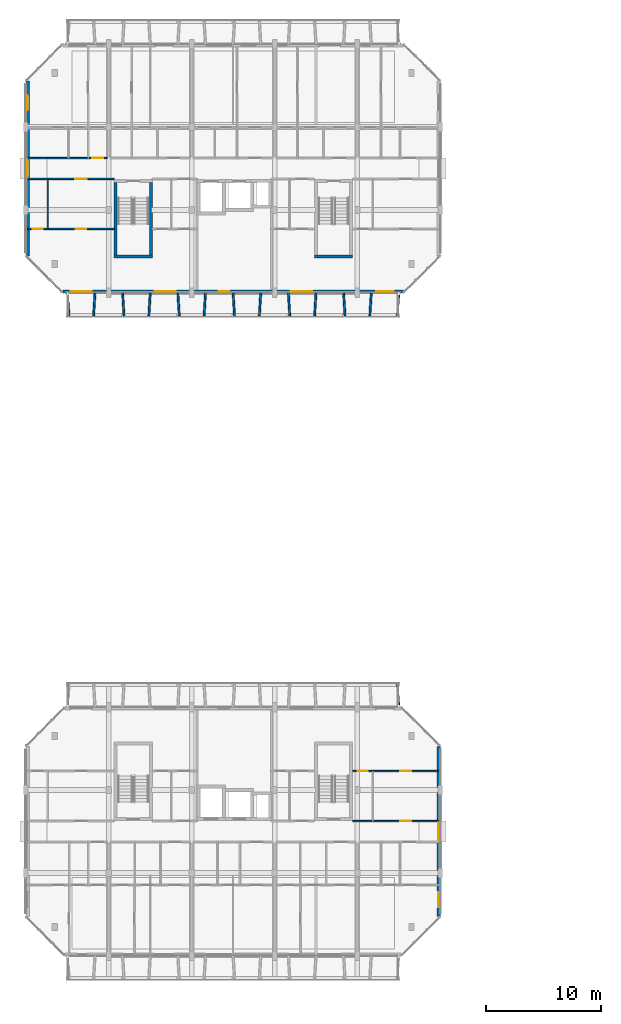
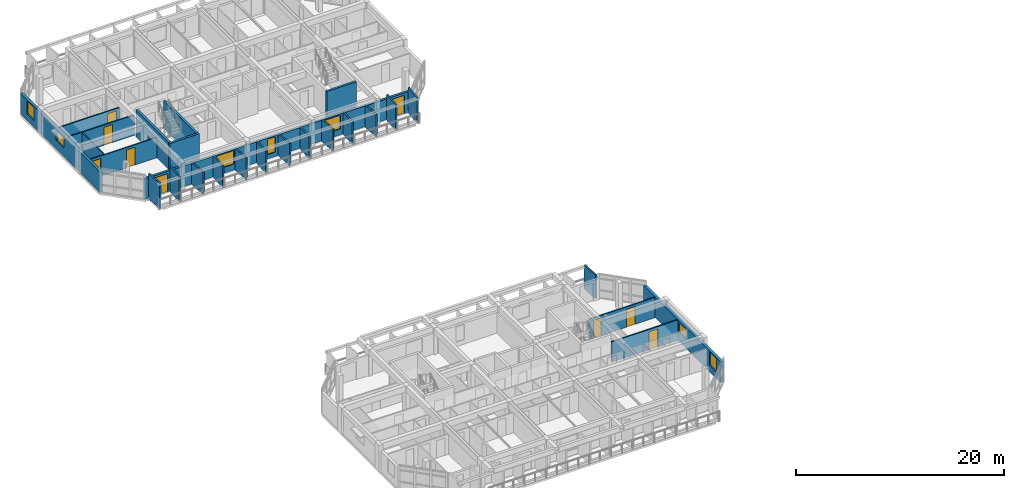
# One storey, part 20 of 46: 27 walls, 9 doors, 7 windows, 16 openings.
"""IFC4 building model written with IfcOpenShell, lengths in metres."""

from ifc_helpers import new_model, si_unit, direction, frame, frame_2d, origin, place, context, subcontext, project, spatial, rectangle, extrude, material, layer, layer_set, type_object, element, fill, save


model = new_model("IFC4")

# Units and contexts
model_context = context("Model", 3, precision=1e-05, world=origin(), true_north=direction((0.0, 1.0)))
body_context = subcontext(model_context, "Body", "Model", "MODEL_VIEW")
ifc_project = project(units=[si_unit("LENGTHUNIT", "METRE"), si_unit("AREAUNIT", "SQUARE_METRE"), si_unit("VOLUMEUNIT", "CUBIC_METRE"), si_unit("PLANEANGLEUNIT", "RADIAN"), si_unit("MASSUNIT", "GRAM", prefix="KILO")], contexts=[model_context])

# Site, building, storey
site_placement = place(None, origin())
site = spatial("IfcSite", under=ifc_project, at=site_placement, CompositionType="ELEMENT")
building_placement = place(site_placement, origin())
building = spatial("IfcBuilding", under=site, at=building_placement, Name="Ochrevale Crest", CompositionType="ELEMENT")
storey_placement = place(building_placement, frame((0.0, 0.0, 24.449951171875)))
storey = spatial("IfcBuildingStorey", under=building, at=storey_placement, Name="L07", CompositionType="ELEMENT", Elevation=24.449951171875)

# Wall, opening, door
ifc_material_1 = material(Name="Gypsum plasterboard", Category="gypsum")
ifc_layer_1 = layer(ifc_material_1, 0.139892578125)
ifc_layer_set_1 = layer_set([ifc_layer_1], Name="Gypsum plasterboard")
wall_type_1 = type_object("IfcWallType", Name="WL-COR-140", PredefinedType="PARTITIONING", material=ifc_layer_set_1)
wall_1_placement = place(storey_placement, frame((28.389892578125, 26.10009765625, 0.0), z_axis=(0.0, 0.0, 1.0), x_axis=(1.0, 0.0, 0.0)))
wall_1 = element("IfcWall", 1, at=wall_1_placement, inside=storey, type_object=wall_type_1, Name="Suite A-L07-CE corridor wall", PredefinedType="PARTITIONING", context=body_context, shape_type="SweptSolid", body=[
    extrude(rectangle(XDim=7.47021484375, YDim=0.139892578125, at=frame_2d((3.735107421875, 0.0))), origin(), (0.0, 0.0, 1.0), 2.380126953125),
])
opening_1_placement = place(wall_1_placement, frame((4.1201171875, 0.0, 0.0)))
opening_1 = element("IfcOpeningElement", 2, at=opening_1_placement, cuts=wall_1, Name="Opening FD01", PredefinedType="OPENING", context=body_context, shape_type="SweptSolid", body=[
    extrude(rectangle(XDim=0.97998046875, YDim=2.10009765625, at=frame_2d((0.489990234375, 1.050048828125))), frame((0.0, 0.080078125, 0.0), z_axis=(0.0, -1.0, 0.0), x_axis=(1.0, 0.0, 0.0)), (0.0, 0.0, 1.0), 0.159912109375),
])
ifc_material_2 = material(Name="Solid-core FSC hardwood", Category="wood")
door_type_1 = type_object("IfcDoorType", Name="DR-APT-950", OperationType="NOTDEFINED", PredefinedType="DOOR", material=ifc_material_2)
door_1_placement = place(opening_1_placement, origin())
door_1 = element("IfcDoor", 3, at=door_1_placement, inside=storey, type_object=door_type_1, Name="Suite A-L07-CE entrance door", OperationType="SINGLE_SWING_LEFT", OverallHeight=2.10009765625, OverallWidth=0.97998046875, PredefinedType="DOOR", context=body_context, shape_type="SweptSolid", body=[
    extrude(rectangle(XDim=0.97998046875, YDim=2.10009765625, at=frame_2d((0.489990234375, 1.050048828125))), frame((0.0, 0.02490234375, 0.0), z_axis=(0.0, -1.0, 0.0), x_axis=(1.0, 0.0, 0.0)), (0.0, 0.0, 1.0), 0.050048828125),
])
fill(opening_1, door_1)

wall_2_placement = place(storey_placement, frame((0.139892578125, 83.699951171875, 0.0), z_axis=(0.0, 0.0, 1.0), x_axis=(1.0, 0.0, 0.0)))
wall_2 = element("IfcWall", 4, at=wall_2_placement, inside=storey, type_object=wall_type_1, Name="Apartment B-L07-U1 corridor wall", PredefinedType="PARTITIONING", context=body_context, shape_type="SweptSolid", body=[
    extrude(rectangle(XDim=6.920166015625, YDim=0.139892578125, at=frame_2d((3.4599609375, 0.0))), origin(), (0.0, 0.0, 1.0), 2.380126953125),
])
opening_2_placement = place(wall_2_placement, frame((6.5849609375, 0.0, 0.0), z_axis=(0.0, 0.0, 1.0), x_axis=(-1.0, 0.0, 0.0)))
opening_2 = element("IfcOpeningElement", 5, at=opening_2_placement, cuts=wall_2, Name="Opening FD01", PredefinedType="OPENING", context=body_context, shape_type="SweptSolid", body=[
    extrude(rectangle(XDim=0.97998046875, YDim=2.10009765625, at=frame_2d((0.489990234375, 1.050048828125))), frame((0.0, 0.080078125, 0.0), z_axis=(0.0, -1.0, 0.0), x_axis=(1.0, 0.0, 0.0)), (0.0, 0.0, 1.0), 0.159912109375),
])
door_2_placement = place(opening_2_placement, origin())
door_2 = element("IfcDoor", 6, at=door_2_placement, inside=storey, type_object=door_type_1, Name="Apartment B-L07-U1 entrance door", OperationType="SINGLE_SWING_RIGHT", OverallHeight=2.10009765625, OverallWidth=0.97998046875, PredefinedType="DOOR", context=body_context, shape_type="SweptSolid", body=[
    extrude(rectangle(XDim=0.97998046875, YDim=2.10009765625, at=frame_2d((0.489990234375, 1.050048828125))), frame((0.0, 0.02490234375, 0.0), z_axis=(0.0, -1.0, 0.0), x_axis=(1.0, 0.0, 0.0)), (0.0, 0.0, 1.0), 0.050048828125),
])
fill(opening_2, door_2)

wall_3_placement = place(storey_placement, frame((0.139892578125, 81.89990234375, 0.0), z_axis=(0.0, 0.0, 1.0), x_axis=(1.0, 0.0, 0.0)))
wall_3 = element("IfcWall", 7, at=wall_3_placement, inside=storey, type_object=wall_type_1, Name="Suite B-L07-CW corridor wall", PredefinedType="PARTITIONING", context=body_context, shape_type="SweptSolid", body=[
    extrude(rectangle(XDim=7.52001953125, YDim=0.139892578125, at=frame_2d((3.760009765625, 0.0))), origin(), (0.0, 0.0, 1.0), 2.380126953125),
])
opening_3_placement = place(wall_3_placement, frame((4.14501953125, 0.0, 0.0)))
opening_3 = element("IfcOpeningElement", 8, at=opening_3_placement, cuts=wall_3, Name="Opening FD01", PredefinedType="OPENING", context=body_context, shape_type="SweptSolid", body=[
    extrude(rectangle(XDim=0.97998046875, YDim=2.10009765625, at=frame_2d((0.489990234375, 1.050048828125))), frame((0.0, 0.080078125, 0.0), z_axis=(0.0, -1.0, 0.0), x_axis=(1.0, 0.0, 0.0)), (0.0, 0.0, 1.0), 0.159912109375),
])
door_3_placement = place(opening_3_placement, origin())
door_3 = element("IfcDoor", 9, at=door_3_placement, inside=storey, type_object=door_type_1, Name="Suite B-L07-CW entrance door", OperationType="SINGLE_SWING_LEFT", OverallHeight=2.10009765625, OverallWidth=0.97998046875, PredefinedType="DOOR", context=body_context, shape_type="SweptSolid", body=[
    extrude(rectangle(XDim=0.97998046875, YDim=2.10009765625, at=frame_2d((0.489990234375, 1.050048828125))), frame((0.0, 0.02490234375, 0.0), z_axis=(0.0, -1.0, 0.0), x_axis=(1.0, 0.0, 0.0)), (0.0, 0.0, 1.0), 0.050048828125),
])
fill(opening_3, door_3)

# Walls
ifc_material_3 = material(Name="Precast concrete C50/60", Category="concrete")
ifc_layer_2 = layer(ifc_material_3, 0.2548828125)
ifc_layer_set_2 = layer_set([ifc_layer_2], Name="Precast concrete C50/60")
wall_type_2 = type_object("IfcWallType", Name="WL-CORE-255", PredefinedType="SHEAR", material=ifc_layer_set_2)
wall_4_placement = place(storey_placement, frame((7.672607421875, 75.14990234375, 0.0), z_axis=(0.0, 0.0, 1.0), x_axis=(1.0, 0.0, 0.0)))
element("IfcWall", 10, at=wall_4_placement, inside=storey, type_object=wall_type_2, Name="Block B L07 Stair 1 precast core shear wall S", PredefinedType="SHEAR", context=body_context, shape_type="SweptSolid", body=[
    extrude(rectangle(XDim=3.304931640625, YDim=0.2548828125, at=frame_2d((1.65234375, 0.0))), origin(), (0.0, 0.0, 1.0), 3.150146484375),
])
for number, where, z_axis, x_axis, name in (
    (11, (7.800048828125, 75.277587890625, 0.0), (0.0, 0.0, 1.0), (0.0, 1.0, 0.0), "Block B L07 Stair 1 precast core shear wall W"),
    (12, (10.85009765625, 75.277587890625, 0.0), (0.0, 0.0, 1.0), (0.0, 1.0, 0.0), "Block B L07 Stair 1 precast core shear wall E"),
):
    element("IfcWall", number, at=place(storey_placement, frame(where, z_axis=z_axis, x_axis=x_axis)), inside=storey, type_object=wall_type_2, Name=name, PredefinedType="SHEAR", context=body_context, shape_type="SweptSolid", body=[
        extrude(rectangle(XDim=6.294921875, YDim=0.2548828125, at=frame_2d((3.1474609375, 0.0))), origin(), (0.0, 0.0, 1.0), 3.150146484375),
    ])
wall_5_placement = place(storey_placement, frame((25.072509765625, 75.14990234375, 0.0), z_axis=(0.0, 0.0, 1.0), x_axis=(1.0, 0.0, 0.0)))
element("IfcWall", 13, at=wall_5_placement, inside=storey, type_object=wall_type_2, Name="Block B L07 Stair 2 precast core shear wall S", PredefinedType="SHEAR", context=body_context, shape_type="SweptSolid", body=[
    extrude(rectangle(XDim=3.304931640625, YDim=0.2548828125, at=frame_2d((1.65234375, 0.0))), origin(), (0.0, 0.0, 1.0), 3.150146484375),
])

# Wall, openings, windows
ifc_material_4 = material(Name="Clay face brickwork", Category="masonry")
ifc_layer_3 = layer(ifc_material_4, 0.2900390625)
ifc_layer_set_3 = layer_set([ifc_layer_3], Name="Clay face brickwork")
wall_type_3 = type_object("IfcWallType", Name="WL-EXT-BRICK-290", PredefinedType="SOLIDWALL", material=ifc_layer_set_3)
wall_6_placement = place(storey_placement, frame((35.85498046875, 17.800048828125, 0.0), z_axis=(0.0, 0.0, 1.0), x_axis=(0.0, 1.0, 0.0)))
wall_6 = element("IfcWall", 14, at=wall_6_placement, inside=storey, type_object=wall_type_3, Name="Block A L07 external facade wall E3", PredefinedType="SOLIDWALL", context=body_context, shape_type="SweptSolid", body=[
    extrude(rectangle(XDim=14.800048828125, YDim=0.2900390625, at=frame_2d((7.39990234375, 0.0))), origin(), (0.0, 0.0, 1.0), 2.429931640625),
])
opening_4_placement = place(wall_6_placement, frame((6.64990234375, 0.0, 1.050048828125)))
opening_4 = element("IfcOpeningElement", 15, at=opening_4_placement, cuts=wall_6, Name="Opening W18", PredefinedType="OPENING", context=body_context, shape_type="SweptSolid", body=[
    extrude(rectangle(XDim=1.5, YDim=1.14990234375, at=frame_2d((0.75, 0.574951171875))), frame((0.0, 0.155029296875, 0.0), z_axis=(0.0, -1.0, 0.0), x_axis=(1.0, 0.0, 0.0)), (0.0, 0.0, 1.0), 0.31005859375),
])
opening_5_placement = place(wall_6_placement, frame((0.840087890625, 0.0, 0.75)))
opening_5 = element("IfcOpeningElement", 16, at=opening_5_placement, cuts=wall_6, Name="Opening W30", PredefinedType="OPENING", context=body_context, shape_type="SweptSolid", body=[
    extrude(rectangle(XDim=1.300048828125, YDim=1.550048828125, at=frame_2d((0.64990234375, 0.77490234375))), frame((0.0, 0.155029296875, 0.0), z_axis=(0.0, -1.0, 0.0), x_axis=(1.0, 0.0, 0.0)), (0.0, 0.0, 1.0), 0.31005859375),
])
ifc_material_5 = material(Name="Anodised aluminium 6063-T5 and low-E double glazing", Category="aluminium")
window_type_1 = type_object("IfcWindowType", Name="WIN-W18", PartitioningType="SINGLE_PANEL", PredefinedType="WINDOW", material=ifc_material_5)
window_1_placement = place(opening_4_placement, origin())
window_1 = element("IfcWindow", 17, at=window_1_placement, inside=storey, type_object=window_type_1, Name="Block A L07 corridor end daylight window E", OverallHeight=1.14990234375, OverallWidth=1.5, PartitioningType="SINGLE_PANEL", PredefinedType="WINDOW", context=body_context, shape_type="SweptSolid", body=[
    extrude(rectangle(XDim=1.5, YDim=1.14990234375, at=frame_2d((0.75, 0.574951171875))), frame((0.0, 0.030029296875, 0.0), z_axis=(0.0, -1.0, 0.0), x_axis=(1.0, 0.0, 0.0)), (0.0, 0.0, 1.0), 0.06005859375),
])
fill(opening_4, window_1)
window_type_2 = type_object("IfcWindowType", Name="WIN-W30", PartitioningType="SINGLE_PANEL", PredefinedType="WINDOW", material=ifc_material_5)
window_2_placement = place(opening_5_placement, origin())
window_2 = element("IfcWindow", 18, at=window_2_placement, inside=storey, type_object=window_type_2, Name="Block A L07 side suite window E", OverallHeight=1.550048828125, OverallWidth=1.300048828125, PartitioningType="SINGLE_PANEL", PredefinedType="WINDOW", context=body_context, shape_type="SweptSolid", body=[
    extrude(rectangle(XDim=1.300048828125, YDim=1.550048828125, at=frame_2d((0.64990234375, 0.77490234375))), frame((0.0, 0.030029296875, 0.0), z_axis=(0.0, -1.0, 0.0), x_axis=(1.0, 0.0, 0.0)), (0.0, 0.0, 1.0), 0.06005859375),
])
fill(opening_5, window_2)

wall_7_placement = place(storey_placement, frame((0.14501953125, 90.39990234375, 0.0), z_axis=(0.0, 0.0, 1.0), x_axis=(0.0, -1.0, 0.0)))
wall_7 = element("IfcWall", 19, at=wall_7_placement, inside=storey, type_object=wall_type_3, Name="Block B L07 external facade wall E7", PredefinedType="SOLIDWALL", context=body_context, shape_type="SweptSolid", body=[
    extrude(rectangle(XDim=15.199951171875, YDim=0.2900390625, at=frame_2d((7.60009765625, 0.0))), origin(), (0.0, 0.0, 1.0), 2.429931640625),
])
opening_6_placement = place(wall_7_placement, frame((6.85009765625, 0.0, 1.050048828125)))
opening_6 = element("IfcOpeningElement", 20, at=opening_6_placement, cuts=wall_7, Name="Opening W18", PredefinedType="OPENING", context=body_context, shape_type="SweptSolid", body=[
    extrude(rectangle(XDim=1.5, YDim=1.14990234375, at=frame_2d((0.75, 0.574951171875))), frame((0.0, 0.155029296875, 0.0), z_axis=(0.0, -1.0, 0.0), x_axis=(1.0, 0.0, 0.0)), (0.0, 0.0, 1.0), 0.31005859375),
])
opening_7_placement = place(wall_7_placement, frame((1.235107421875, 0.0, 0.75)))
opening_7 = element("IfcOpeningElement", 21, at=opening_7_placement, cuts=wall_7, Name="Opening W30", PredefinedType="OPENING", context=body_context, shape_type="SweptSolid", body=[
    extrude(rectangle(XDim=1.300048828125, YDim=1.550048828125, at=frame_2d((0.64990234375, 0.77490234375))), frame((0.0, 0.155029296875, 0.0), z_axis=(0.0, -1.0, 0.0), x_axis=(1.0, 0.0, 0.0)), (0.0, 0.0, 1.0), 0.31005859375),
])
window_3_placement = place(opening_6_placement, origin())
window_3 = element("IfcWindow", 22, at=window_3_placement, inside=storey, type_object=window_type_1, Name="Block B L07 corridor end daylight window W", OverallHeight=1.14990234375, OverallWidth=1.5, PartitioningType="SINGLE_PANEL", PredefinedType="WINDOW", context=body_context, shape_type="SweptSolid", body=[
    extrude(rectangle(XDim=1.5, YDim=1.14990234375, at=frame_2d((0.75, 0.574951171875))), frame((0.0, 0.030029296875, 0.0), z_axis=(0.0, -1.0, 0.0), x_axis=(1.0, 0.0, 0.0)), (0.0, 0.0, 1.0), 0.06005859375),
])
fill(opening_6, window_3)
window_4_placement = place(opening_7_placement, origin())
window_4 = element("IfcWindow", 23, at=window_4_placement, inside=storey, type_object=window_type_2, Name="Block B L07 side suite window W", OverallHeight=1.550048828125, OverallWidth=1.300048828125, PartitioningType="SINGLE_PANEL", PredefinedType="WINDOW", context=body_context, shape_type="SweptSolid", body=[
    extrude(rectangle(XDim=1.300048828125, YDim=1.550048828125, at=frame_2d((0.64990234375, 0.77490234375))), frame((0.0, 0.030029296875, 0.0), z_axis=(0.0, -1.0, 0.0), x_axis=(1.0, 0.0, 0.0)), (0.0, 0.0, 1.0), 0.06005859375),
])
fill(opening_7, window_4)

# Wall, openings, doors, windows
ifc_material_6 = material(Name="Precast concrete C40/50", Category="concrete")
ifc_layer_4 = layer(ifc_material_6, 0.25)
ifc_layer_set_4 = layer_set([ifc_layer_4], Name="Precast concrete C40/50")
wall_type_4 = type_object("IfcWallType", Name="WL-EXT-GOLD-250", PredefinedType="SOLIDWALL", material=ifc_layer_set_4)
wall_8_placement = place(storey_placement, frame((3.199951171875, 72.125, 0.0), z_axis=(0.0, 0.0, 1.0), x_axis=(1.0, 0.0, 0.0)))
wall_8 = element("IfcWall", 24, at=wall_8_placement, inside=storey, type_object=wall_type_4, Name="Block B L07 external facade wall E1", PredefinedType="SOLIDWALL", context=body_context, shape_type="SweptSolid", body=[
    extrude(rectangle(XDim=29.60009765625, YDim=0.25, at=frame_2d((14.800048828125, 0.0))), origin(), (0.0, 0.0, 1.0), 2.429931640625),
])
opening_8_placement = place(wall_8_placement, frame((2.5, 0.0, 0.0), z_axis=(0.0, 0.0, 1.0), x_axis=(-1.0, 0.0, 0.0)))
opening_8 = element("IfcOpeningElement", 25, at=opening_8_placement, cuts=wall_8, Name="Opening BD03", PredefinedType="OPENING", context=body_context, shape_type="SweptSolid", body=[
    extrude(rectangle(XDim=1.800048828125, YDim=2.14990234375, at=frame_2d((0.89990234375, 1.074951171875))), frame((0.0, 0.135009765625, 0.0), z_axis=(0.0, -1.0, 0.0), x_axis=(1.0, 0.0, 0.0)), (0.0, 0.0, 1.0), 0.27001953125),
])
opening_9_placement = place(wall_8_placement, frame((28.75, 0.0, 0.0), z_axis=(0.0, 0.0, 1.0), x_axis=(-1.0, 0.0, 0.0)))
opening_9 = element("IfcOpeningElement", 26, at=opening_9_placement, cuts=wall_8, Name="Opening BD01", PredefinedType="OPENING", context=body_context, shape_type="SweptSolid", body=[
    extrude(rectangle(XDim=1.5, YDim=2.14990234375, at=frame_2d((0.75, 1.074951171875))), frame((0.0, 0.135009765625, 0.0), z_axis=(0.0, -1.0, 0.0), x_axis=(1.0, 0.0, 0.0)), (0.0, 0.0, 1.0), 0.27001953125),
])
opening_10_placement = place(wall_8_placement, frame((13.544921875, 0.0, 0.5)))
opening_10 = element("IfcOpeningElement", 27, at=opening_10_placement, cuts=wall_8, Name="Opening W17", PredefinedType="OPENING", context=body_context, shape_type="SweptSolid", body=[
    extrude(rectangle(XDim=0.89990234375, YDim=1.800048828125, at=frame_2d((0.449951171875, 0.89990234375))), frame((0.0, 0.135009765625, 0.0), z_axis=(0.0, -1.0, 0.0), x_axis=(1.0, 0.0, 0.0)), (0.0, 0.0, 1.0), 0.27001953125),
])
opening_11_placement = place(wall_8_placement, frame((19.794921875, 0.0, 0.699951171875)))
opening_11 = element("IfcOpeningElement", 28, at=opening_11_placement, cuts=wall_8, Name="Opening W11", PredefinedType="OPENING", context=body_context, shape_type="SweptSolid", body=[
    extrude(rectangle(XDim=1.860107421875, YDim=1.60009765625, at=frame_2d((0.93017578125, 0.800048828125))), frame((0.0, 0.135009765625, 0.0), z_axis=(0.0, -1.0, 0.0), x_axis=(1.0, 0.0, 0.0)), (0.0, 0.0, 1.0), 0.27001953125),
])
opening_12_placement = place(wall_8_placement, frame((7.969970703125, 0.0, 0.699951171875)))
opening_12 = element("IfcOpeningElement", 29, at=opening_12_placement, cuts=wall_8, Name="Opening W11", PredefinedType="OPENING", context=body_context, shape_type="SweptSolid", body=[
    extrude(rectangle(XDim=1.860107421875, YDim=1.60009765625, at=frame_2d((0.93017578125, 0.800048828125))), frame((0.0, 0.135009765625, 0.0), z_axis=(0.0, -1.0, 0.0), x_axis=(1.0, 0.0, 0.0)), (0.0, 0.0, 1.0), 0.27001953125),
])
ifc_material_7 = material(Name="Anodised aluminium 6063-T5 and toughened glass", Category="aluminium")
door_type_2 = type_object("IfcDoorType", Name="DR-BAL-1500", OperationType="NOTDEFINED", PredefinedType="DOOR", material=ifc_material_7)
door_4_placement = place(opening_9_placement, origin())
door_4 = element("IfcDoor", 30, at=door_4_placement, inside=storey, type_object=door_type_2, Name="Block B L07 balcony door S5", OperationType="SINGLE_SWING_LEFT", OverallHeight=2.14990234375, OverallWidth=1.5, PredefinedType="DOOR", context=body_context, shape_type="SweptSolid", body=[
    extrude(rectangle(XDim=1.5, YDim=2.14990234375, at=frame_2d((0.75, 1.074951171875))), frame((0.0, 0.02490234375, 0.0), z_axis=(0.0, -1.0, 0.0), x_axis=(1.0, 0.0, 0.0)), (0.0, 0.0, 1.0), 0.050048828125),
])
fill(opening_9, door_4)
door_type_3 = type_object("IfcDoorType", Name="DR-BAL-1800", OperationType="NOTDEFINED", PredefinedType="DOOR", material=ifc_material_7)
door_5_placement = place(opening_8_placement, origin())
door_5 = element("IfcDoor", 31, at=door_5_placement, inside=storey, type_object=door_type_3, Name="Block B L07 balcony door S1", OperationType="SINGLE_SWING_RIGHT", OverallHeight=2.14990234375, OverallWidth=1.800048828125, PredefinedType="DOOR", context=body_context, shape_type="SweptSolid", body=[
    extrude(rectangle(XDim=1.800048828125, YDim=2.14990234375, at=frame_2d((0.89990234375, 1.074951171875))), frame((0.0, 0.02490234375, 0.0), z_axis=(0.0, -1.0, 0.0), x_axis=(1.0, 0.0, 0.0)), (0.0, 0.0, 1.0), 0.050048828125),
])
fill(opening_8, door_5)
window_type_3 = type_object("IfcWindowType", Name="WIN-W11", PartitioningType="SINGLE_PANEL", PredefinedType="WINDOW", material=ifc_material_5)
window_5_placement = place(opening_11_placement, origin())
window_5 = element("IfcWindow", 32, at=window_5_placement, inside=storey, type_object=window_type_3, Name="Block B L07 Suite B-L07-ME Garden Alcove Studio window", OverallHeight=1.60009765625, OverallWidth=1.860107421875, PartitioningType="SINGLE_PANEL", PredefinedType="WINDOW", context=body_context, shape_type="SweptSolid", body=[
    extrude(rectangle(XDim=1.860107421875, YDim=1.60009765625, at=frame_2d((0.93017578125, 0.800048828125))), frame((0.0, 0.030029296875, 0.0), z_axis=(0.0, -1.0, 0.0), x_axis=(1.0, 0.0, 0.0)), (0.0, 0.0, 1.0), 0.06005859375),
])
fill(opening_11, window_5)
window_6_placement = place(opening_12_placement, origin())
window_6 = element("IfcWindow", 33, at=window_6_placement, inside=storey, type_object=window_type_3, Name="Block B L07 Suite B-L07-MW Courtyard Studio Living window", OverallHeight=1.60009765625, OverallWidth=1.860107421875, PartitioningType="SINGLE_PANEL", PredefinedType="WINDOW", context=body_context, shape_type="SweptSolid", body=[
    extrude(rectangle(XDim=1.860107421875, YDim=1.60009765625, at=frame_2d((0.93017578125, 0.800048828125))), frame((0.0, 0.030029296875, 0.0), z_axis=(0.0, -1.0, 0.0), x_axis=(1.0, 0.0, 0.0)), (0.0, 0.0, 1.0), 0.06005859375),
])
fill(opening_12, window_6)
window_type_4 = type_object("IfcWindowType", Name="WIN-W17", PartitioningType="SINGLE_PANEL", PredefinedType="WINDOW", material=ifc_material_5)
window_7_placement = place(opening_10_placement, origin())
window_7 = element("IfcWindow", 34, at=window_7_placement, inside=storey, type_object=window_type_4, Name="Block B L07 core lancet window", OverallHeight=1.800048828125, OverallWidth=0.89990234375, PartitioningType="SINGLE_PANEL", PredefinedType="WINDOW", context=body_context, shape_type="SweptSolid", body=[
    extrude(rectangle(XDim=0.89990234375, YDim=1.800048828125, at=frame_2d((0.449951171875, 0.89990234375))), frame((0.0, 0.030029296875, 0.0), z_axis=(0.0, -1.0, 0.0), x_axis=(1.0, 0.0, 0.0)), (0.0, 0.0, 1.0), 0.06005859375),
])
fill(opening_10, window_7)

# Walls
ifc_layer_5 = layer(ifc_material_6, 0.1650390625)
ifc_layer_set_5 = layer_set([ifc_layer_5], Name="Precast concrete C40/50")
wall_type_5 = type_object("IfcWallType", Name="WL-HC-CHEEK-165", PredefinedType="ELEMENTEDWALL", material=ifc_layer_set_5)
wall_9_placement = place(storey_placement, frame((32.39990234375, 36.02001953125, 0.0), z_axis=(0.0, 0.0, 1.0), x_axis=(-0.071194071069, 0.997462482625, 0.0)))
element("IfcWall", 35, at=wall_9_placement, inside=storey, type_object=wall_type_5, Name="Block A L07 N precast honeycomb cheek 13", PredefinedType="ELEMENTEDWALL", context=body_context, shape_type="SweptSolid", body=[
    extrude(rectangle(XDim=1.96484375, YDim=0.1650390625, at=frame_2d((0.982421875, 0.0))), origin(), (0.0, 0.0, 1.0), 2.800048828125),
])
wall_10_placement = place(storey_placement, frame((3.60009765625, 71.97998046875, 0.0), z_axis=(0.0, 0.0, 1.0), x_axis=(0.071194071069, -0.997462482625, 0.0)))
element("IfcWall", 36, at=wall_10_placement, inside=storey, type_object=wall_type_5, Name="Block B L07 S precast honeycomb cheek 1", PredefinedType="ELEMENTEDWALL", context=body_context, shape_type="SweptSolid", body=[
    extrude(rectangle(XDim=1.96484375, YDim=0.1650390625, at=frame_2d((0.982421875, 0.0))), origin(), (0.0, 0.0, 1.0), 2.949951171875),
])
wall_11_placement = place(storey_placement, frame((6.0, 71.97998046875, 0.0), z_axis=(0.0, 0.0, 1.0), x_axis=(-0.061170732449, -0.998127317276, 0.0)))
element("IfcWall", 37, at=wall_11_placement, inside=storey, type_object=wall_type_5, Name="Block B L07 S precast honeycomb cheek 2", PredefinedType="ELEMENTEDWALL", context=body_context, shape_type="SweptSolid", body=[
    extrude(rectangle(XDim=1.963623046875, YDim=0.1650390625, at=frame_2d((0.98193359375, 0.0))), origin(), (0.0, 0.0, 1.0), 2.949951171875),
])
for number, where, z_axis, x_axis, name in (
    (38, (8.39990234375, 71.97998046875, 0.0), (0.0, 0.0, 1.0), (0.061170732449, -0.998127317276, 0.0), "Block B L07 S precast honeycomb cheek 3"),
    (39, (10.800048828125, 71.97998046875, 0.0), (0.0, 0.0, 1.0), (-0.061170732449, -0.998127317276, 0.0), "Block B L07 S precast honeycomb cheek 4"),
    (40, (13.199951171875, 71.97998046875, 0.0), (0.0, 0.0, 1.0), (0.061170732449, -0.998127317276, 0.0), "Block B L07 S precast honeycomb cheek 5"),
):
    element("IfcWall", number, at=place(storey_placement, frame(where, z_axis=z_axis, x_axis=x_axis)), inside=storey, type_object=wall_type_5, Name=name, PredefinedType="ELEMENTEDWALL", context=body_context, shape_type="SweptSolid", body=[
        extrude(rectangle(XDim=1.963623046875, YDim=0.1650390625, at=frame_2d((0.98193359375, 0.0))), origin(), (0.0, 0.0, 1.0), 2.530029296875),
    ])
for number, where, z_axis, x_axis, name in (
    (41, (15.60009765625, 71.97998046875, 0.0), (0.0, 0.0, 1.0), (-0.061170732449, -0.998127317276, 0.0), "Block B L07 S precast honeycomb cheek 6"),
    (42, (18.0, 71.97998046875, 0.0), (0.0, 0.0, 1.0), (0.061170732449, -0.998127317276, 0.0), "Block B L07 S precast honeycomb cheek 7"),
    (43, (20.39990234375, 71.97998046875, 0.0), (0.0, 0.0, 1.0), (-0.061046865508, -0.998134900808, 0.0), "Block B L07 S precast honeycomb cheek 8"),
):
    element("IfcWall", number, at=place(storey_placement, frame(where, z_axis=z_axis, x_axis=x_axis)), inside=storey, type_object=wall_type_5, Name=name, PredefinedType="ELEMENTEDWALL", context=body_context, shape_type="SweptSolid", body=[
        extrude(rectangle(XDim=1.963623046875, YDim=0.1650390625, at=frame_2d((0.98193359375, 0.0))), origin(), (0.0, 0.0, 1.0), 2.550048828125),
    ])
for number, where, z_axis, x_axis, name in (
    (44, (22.800048828125, 71.97998046875, 0.0), (0.0, 0.0, 1.0), (0.061046865508, -0.998134900808, 0.0), "Block B L07 S precast honeycomb cheek 9"),
    (45, (25.199951171875, 71.97998046875, 0.0), (0.0, 0.0, 1.0), (-0.061046865508, -0.998134900808, 0.0), "Block B L07 S precast honeycomb cheek 10"),
    (46, (27.60009765625, 71.97998046875, 0.0), (0.0, 0.0, 1.0), (0.061046865508, -0.998134900808, 0.0), "Block B L07 S precast honeycomb cheek 11"),
):
    element("IfcWall", number, at=place(storey_placement, frame(where, z_axis=z_axis, x_axis=x_axis)), inside=storey, type_object=wall_type_5, Name=name, PredefinedType="ELEMENTEDWALL", context=body_context, shape_type="SweptSolid", body=[
        extrude(rectangle(XDim=1.963623046875, YDim=0.1650390625, at=frame_2d((0.98193359375, 0.0))), origin(), (0.0, 0.0, 1.0), 2.580078125),
    ])
wall_12_placement = place(storey_placement, frame((30.0, 71.97998046875, 0.0), z_axis=(0.0, 0.0, 1.0), x_axis=(-0.061170732449, -0.998127317276, 0.0)))
element("IfcWall", 47, at=wall_12_placement, inside=storey, type_object=wall_type_5, Name="Block B L07 S precast honeycomb cheek 12", PredefinedType="ELEMENTEDWALL", context=body_context, shape_type="SweptSolid", body=[
    extrude(rectangle(XDim=1.963623046875, YDim=0.1650390625, at=frame_2d((0.98193359375, 0.0))), origin(), (0.0, 0.0, 1.0), 2.949951171875),
])
wall_13_placement = place(storey_placement, frame((32.39990234375, 71.97998046875, 0.0), z_axis=(0.0, 0.0, 1.0), x_axis=(-0.071194071069, -0.997462482625, 0.0)))
element("IfcWall", 48, at=wall_13_placement, inside=storey, type_object=wall_type_5, Name="Block B L07 S precast honeycomb cheek 13", PredefinedType="ELEMENTEDWALL", context=body_context, shape_type="SweptSolid", body=[
    extrude(rectangle(XDim=1.96484375, YDim=0.1650390625, at=frame_2d((0.982421875, 0.0))), origin(), (0.0, 0.0, 1.0), 2.949951171875),
])

# Wall, openings, doors
ifc_layer_6 = layer(ifc_material_1, 0.1201171875)
ifc_layer_set_6 = layer_set([ifc_layer_6], Name="Gypsum plasterboard")
wall_type_6 = type_object("IfcWallType", Name="WL-PART-120", PredefinedType="PARTITIONING", material=ifc_layer_set_6)
wall_14_placement = place(storey_placement, frame((28.389892578125, 30.449951171875, 0.0), z_axis=(0.0, 0.0, 1.0), x_axis=(1.0, 0.0, 0.0)))
wall_14 = element("IfcWall", 49, at=wall_14_placement, inside=storey, type_object=wall_type_6, Name="Suite A-L07-CE internal wall", PredefinedType="PARTITIONING", context=body_context, shape_type="SweptSolid", body=[
    extrude(rectangle(XDim=7.47021484375, YDim=0.1201171875, at=frame_2d((3.735107421875, 0.0))), origin(), (0.0, 0.0, 1.0), 2.380126953125),
])
opening_13_placement = place(wall_14_placement, frame((1.300048828125, 0.0, 0.0), z_axis=(0.0, 0.0, 1.0), x_axis=(-1.0, 0.0, 0.0)))
opening_13 = element("IfcOpeningElement", 50, at=opening_13_placement, cuts=wall_14, Name="Opening ID01", PredefinedType="OPENING", context=body_context, shape_type="SweptSolid", body=[
    extrude(rectangle(XDim=0.85009765625, YDim=2.080078125, at=frame_2d((0.425048828125, 1.0400390625))), frame((0.0, 0.070068359375, 0.0), z_axis=(0.0, -1.0, 0.0), x_axis=(1.0, 0.0, 0.0)), (0.0, 0.0, 1.0), 0.14013671875),
])
opening_14_placement = place(wall_14_placement, frame((4.14990234375, 0.0, 0.0)))
opening_14 = element("IfcOpeningElement", 51, at=opening_14_placement, cuts=wall_14, Name="Opening ID04", PredefinedType="OPENING", context=body_context, shape_type="SweptSolid", body=[
    extrude(rectangle(XDim=0.919921875, YDim=2.080078125, at=frame_2d((0.4599609375, 1.0400390625))), frame((0.0, 0.070068359375, 0.0), z_axis=(0.0, -1.0, 0.0), x_axis=(1.0, 0.0, 0.0)), (0.0, 0.0, 1.0), 0.14013671875),
])
door_type_4 = type_object("IfcDoorType", Name="DR-INT-920", OperationType="NOTDEFINED", PredefinedType="DOOR", material=ifc_material_2)
door_6_placement = place(opening_14_placement, origin())
door_6 = element("IfcDoor", 52, at=door_6_placement, inside=storey, type_object=door_type_4, Name="Suite A-L07-CE Master Bedroom door", OperationType="SINGLE_SWING_LEFT", OverallHeight=2.080078125, OverallWidth=0.919921875, PredefinedType="DOOR", context=body_context, shape_type="SweptSolid", body=[
    extrude(rectangle(XDim=0.919921875, YDim=2.080078125, at=frame_2d((0.4599609375, 1.0400390625))), frame((0.0, 0.02490234375, 0.0), z_axis=(0.0, -1.0, 0.0), x_axis=(1.0, 0.0, 0.0)), (0.0, 0.0, 1.0), 0.050048828125),
])
fill(opening_14, door_6)
door_type_5 = type_object("IfcDoorType", Name="DR-WC-850", OperationType="NOTDEFINED", PredefinedType="DOOR", material=ifc_material_2)
door_7_placement = place(opening_13_placement, origin())
door_7 = element("IfcDoor", 53, at=door_7_placement, inside=storey, type_object=door_type_5, Name="Suite A-L07-CE Bathroom door", OperationType="SINGLE_SWING_RIGHT", OverallHeight=2.080078125, OverallWidth=0.85009765625, PredefinedType="DOOR", context=body_context, shape_type="SweptSolid", body=[
    extrude(rectangle(XDim=0.85009765625, YDim=2.080078125, at=frame_2d((0.425048828125, 1.0400390625))), frame((0.0, 0.02490234375, 0.0), z_axis=(0.0, -1.0, 0.0), x_axis=(1.0, 0.0, 0.0)), (0.0, 0.0, 1.0), 0.050048828125),
])
fill(opening_13, door_7)

wall_15_placement = place(storey_placement, frame((0.139892578125, 77.550048828125, 0.0), z_axis=(0.0, 0.0, 1.0), x_axis=(1.0, 0.0, 0.0)))
wall_15 = element("IfcWall", 54, at=wall_15_placement, inside=storey, type_object=wall_type_6, Name="Suite B-L07-CW internal wall", PredefinedType="PARTITIONING", context=body_context, shape_type="SweptSolid", body=[
    extrude(rectangle(XDim=7.52001953125, YDim=0.1201171875, at=frame_2d((3.760009765625, 0.0))), origin(), (0.0, 0.0, 1.0), 2.380126953125),
])
opening_15_placement = place(wall_15_placement, frame((1.300048828125, 0.0, 0.0), z_axis=(0.0, 0.0, 1.0), x_axis=(-1.0, 0.0, 0.0)))
opening_15 = element("IfcOpeningElement", 55, at=opening_15_placement, cuts=wall_15, Name="Opening ID01", PredefinedType="OPENING", context=body_context, shape_type="SweptSolid", body=[
    extrude(rectangle(XDim=0.85009765625, YDim=2.080078125, at=frame_2d((0.425048828125, 1.0400390625))), frame((0.0, 0.070068359375, 0.0), z_axis=(0.0, -1.0, 0.0), x_axis=(1.0, 0.0, 0.0)), (0.0, 0.0, 1.0), 0.14013671875),
])
opening_16_placement = place(wall_15_placement, frame((4.175048828125, 0.0, 0.0)))
opening_16 = element("IfcOpeningElement", 56, at=opening_16_placement, cuts=wall_15, Name="Opening ID04", PredefinedType="OPENING", context=body_context, shape_type="SweptSolid", body=[
    extrude(rectangle(XDim=0.919921875, YDim=2.080078125, at=frame_2d((0.4599609375, 1.0400390625))), frame((0.0, 0.070068359375, 0.0), z_axis=(0.0, -1.0, 0.0), x_axis=(1.0, 0.0, 0.0)), (0.0, 0.0, 1.0), 0.14013671875),
])
door_8_placement = place(opening_16_placement, origin())
door_8 = element("IfcDoor", 57, at=door_8_placement, inside=storey, type_object=door_type_4, Name="Suite B-L07-CW Garden Alcove Studio door", OperationType="SINGLE_SWING_LEFT", OverallHeight=2.080078125, OverallWidth=0.919921875, PredefinedType="DOOR", context=body_context, shape_type="SweptSolid", body=[
    extrude(rectangle(XDim=0.919921875, YDim=2.080078125, at=frame_2d((0.4599609375, 1.0400390625))), frame((0.0, 0.02490234375, 0.0), z_axis=(0.0, -1.0, 0.0), x_axis=(1.0, 0.0, 0.0)), (0.0, 0.0, 1.0), 0.050048828125),
])
fill(opening_16, door_8)
door_9_placement = place(opening_15_placement, origin())
door_9 = element("IfcDoor", 58, at=door_9_placement, inside=storey, type_object=door_type_5, Name="Suite B-L07-CW Bathroom door", OperationType="SINGLE_SWING_RIGHT", OverallHeight=2.080078125, OverallWidth=0.85009765625, PredefinedType="DOOR", context=body_context, shape_type="SweptSolid", body=[
    extrude(rectangle(XDim=0.85009765625, YDim=2.080078125, at=frame_2d((0.425048828125, 1.0400390625))), frame((0.0, 0.02490234375, 0.0), z_axis=(0.0, -1.0, 0.0), x_axis=(1.0, 0.0, 0.0)), (0.0, 0.0, 1.0), 0.050048828125),
])
fill(opening_15, door_9)

# Wall
ifc_layer_7 = layer(ifc_material_1, 0.10009765625)
ifc_layer_set_7 = layer_set([ifc_layer_7], Name="Gypsum plasterboard")
wall_type_7 = type_object("IfcWallType", Name="WL-WET-100", PredefinedType="PARTITIONING", material=ifc_layer_set_7)
wall_16_placement = place(storey_placement, frame((1.889892578125, 77.550048828125, 0.0), z_axis=(0.0, 0.0, 1.0), x_axis=(0.0, 1.0, 0.0)))
element("IfcWall", 59, at=wall_16_placement, inside=storey, type_object=wall_type_7, Name="Suite B-L07-CW bathroom divider", PredefinedType="PARTITIONING", context=body_context, shape_type="SweptSolid", body=[
    extrude(rectangle(XDim=4.349853515625, YDim=0.10009765625, at=frame_2d((2.1748046875, 0.0))), origin(), (0.0, 0.0, 1.0), 2.380126953125),
])

save(model, "model.ifc")
